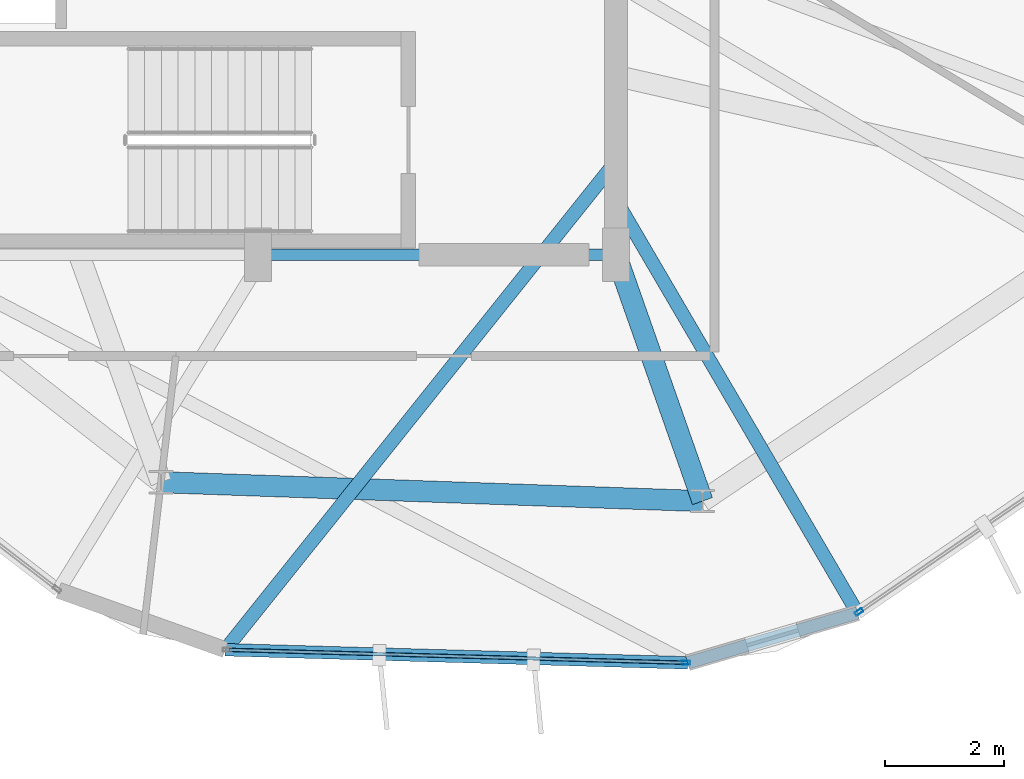
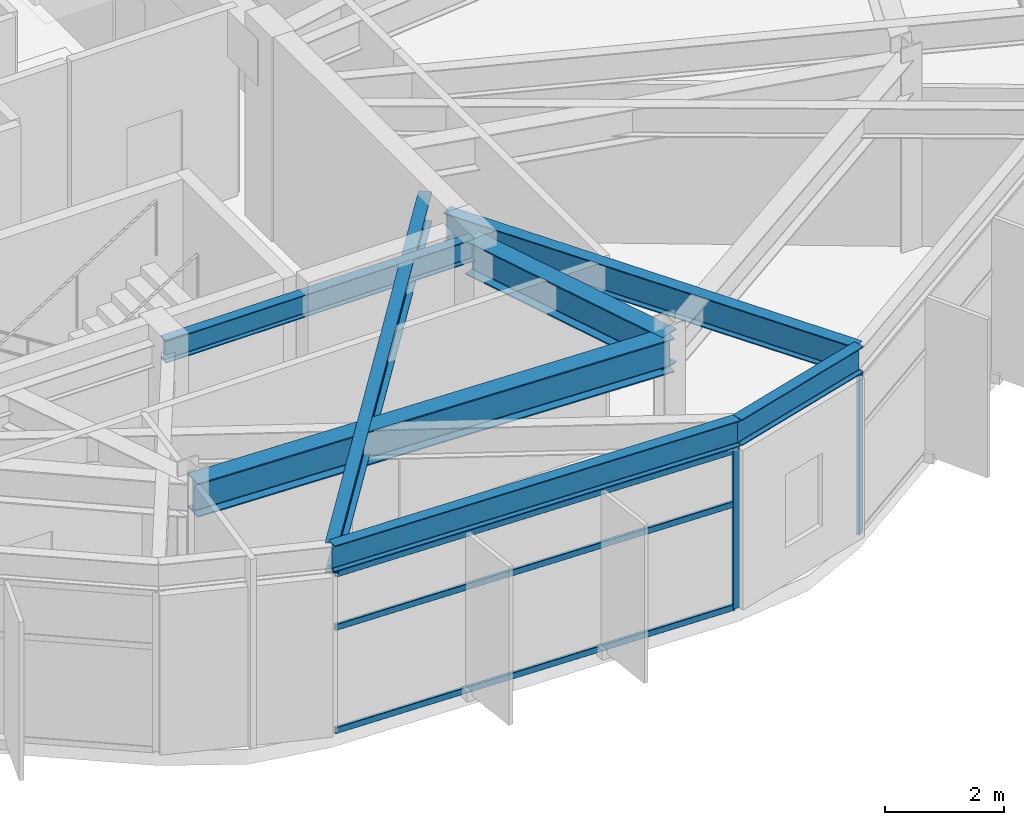
# One storey, part 5 of 20: 7 beams, 5 members, 2 elements without a shape of their own.
"""IFC4 building model written with IfcOpenShell, lengths in metres."""

from ifc_helpers import new_model, si_unit, direction, frame, origin, origin_2d, place, context, subcontext, project, spatial, hollow_rectangle, i_section, extrude, material, layer, layer_set, material_profile, profile_set, type_object, element, aggregate, save


model = new_model("IFC4")

# Units and contexts
model_context = context("Model", 3, precision=1e-05, world=origin(), true_north=direction((0.0, 1.0)))
body_context = subcontext(model_context, "Body", "Model", "MODEL_VIEW")
ifc_project = project(units=[si_unit("LENGTHUNIT", "METRE"), si_unit("AREAUNIT", "SQUARE_METRE"), si_unit("VOLUMEUNIT", "CUBIC_METRE"), si_unit("PLANEANGLEUNIT", "RADIAN"), si_unit("MASSUNIT", "GRAM", prefix="KILO")], contexts=[model_context])

# Site, building, storey
site_placement = place(None, origin())
site = spatial("IfcSite", under=ifc_project, at=site_placement, CompositionType="ELEMENT")
building_placement = place(site_placement, origin())
building = spatial("IfcBuilding", under=site, at=building_placement, Name="Soratama Intermodal Tower", CompositionType="ELEMENT")
storey_placement = place(building_placement, frame((0.0, 0.0, 293.050048828125)))
storey = spatial("IfcBuildingStorey", under=building, at=storey_placement, Name="L74", CompositionType="ELEMENT", Elevation=293.050048828125)

# Beams
ifc_material_1 = material(Name="Structural steel ASTM A992 Grade 50", Category="steel")
ifc_material_profile_1 = material_profile(ifc_material_1, i_section(OverallWidth=0.19091796875, OverallDepth=0.4599609375, WebThickness=0.010009765625, FlangeThickness=0.01611328125, FilletRadius=0.010986328125, at=origin_2d()), Name="W18X55")
ifc_profile_set_1 = profile_set([ifc_material_profile_1], Name="Structural steel ASTM A992 Grade 50")
beam_type_1 = type_object("IfcBeamType", Name="BM-FLR-W18X55", PredefinedType="BEAM", material=ifc_profile_set_1)
beam_1_placement = place(storey_placement, frame((38.60009765625, 15.0, 3.6650390625), z_axis=(1.0, 0.0, 0.0), x_axis=(0.0, 1.0, 0.0)))
element("IfcBeam", 1, at=beam_1_placement, inside=storey, type_object=beam_type_1, Name="BM-L74-CRING-02", PredefinedType="BEAM", context=body_context, shape_type="SweptSolid", body=[
    extrude(i_section(OverallWidth=0.19091796875, OverallDepth=0.4599609375, WebThickness=0.010009765625, FlangeThickness=0.01611328125, FilletRadius=0.010986328125, at=origin_2d()), origin(), (0.0, 0.0, 1.0), 6.0),
])
ifc_material_2 = material(Name="Structural steel ASTM A992 Grade 50", Category="steel")
ifc_material_profile_2 = material_profile(ifc_material_2, i_section(OverallWidth=0.35498046875, OverallDepth=0.695068359375, WebThickness=0.015380859375, FlangeThickness=0.02490234375, FilletRadius=0.01611328125, at=origin_2d()), Name="W27X146")
ifc_profile_set_2 = profile_set([ifc_material_profile_2], Name="Structural steel ASTM A992 Grade 50")
beam_type_2 = type_object("IfcBeamType", Name="BM-RING-W27X146", PredefinedType="BEAM", material=ifc_profile_set_2)
beam_2_placement = place(storey_placement, frame((36.971923828125, 11.18701171875, 3.54736328125), z_axis=(0.999391551516, -0.034878743651, 0.0), x_axis=(0.034878743651, 0.999391551516, 0.0)))
element("IfcBeam", 2, at=beam_2_placement, inside=storey, type_object=beam_type_2, Name="BM-L74-RING-07", PredefinedType="BEAM", context=body_context, shape_type="SweptSolid", body=[
    extrude(i_section(OverallWidth=0.35498046875, OverallDepth=0.695068359375, WebThickness=0.015380859375, FlangeThickness=0.02490234375, FilletRadius=0.01611328125, at=origin_2d()), origin(), (0.0, 0.0, 1.0), 9.085693359375),
])
beam_3_placement = place(storey_placement, frame((44.60009765625, 15.0, 3.54736328125), z_axis=(0.331661746867, -0.943398370608, 0.0), x_axis=(0.943398370608, 0.331661746867, 0.0)))
element("IfcBeam", 3, at=beam_3_placement, inside=storey, type_object=beam_type_2, Name="BM-L74-RAD-08", PredefinedType="BEAM", context=body_context, shape_type="SweptSolid", body=[
    extrude(i_section(OverallWidth=0.35498046875, OverallDepth=0.695068359375, WebThickness=0.015380859375, FlangeThickness=0.02490234375, FilletRadius=0.01611328125, at=origin_2d()), origin(), (0.0, 0.0, 1.0), 4.377685546875),
])
ifc_material_3 = material(Name="Structural steel ASTM A992 Grade 50", Category="steel")
ifc_material_profile_3 = material_profile(ifc_material_3, i_section(OverallWidth=0.2099609375, OverallDepth=0.537109375, WebThickness=0.010986328125, FlangeThickness=0.017333984375, FilletRadius=0.012939453125, at=origin_2d()), Name="W21X68")
ifc_profile_set_3 = profile_set([ifc_material_profile_3], Name="Structural steel ASTM A992 Grade 50")
beam_type_3 = type_object("IfcBeamType", Name="BM-SPN-W21X68", PredefinedType="SPANDREL", material=ifc_profile_set_3)
beam_4_placement = place(storey_placement, frame((38.049072265625, 8.3779296875, 3.62646484375), z_axis=(0.999597943365, -0.028354040643, 0.0), x_axis=(0.028354040643, 0.999597943365, 0.0)))
element("IfcBeam", 4, at=beam_4_placement, inside=storey, type_object=beam_type_3, Name="BS-L74-F06", PredefinedType="SPANDREL", context=body_context, shape_type="SweptSolid", body=[
    extrude(i_section(OverallWidth=0.2099609375, OverallDepth=0.537109375, WebThickness=0.010986328125, FlangeThickness=0.017333984375, FilletRadius=0.012939453125, at=origin_2d()), origin(), (0.0, 0.0, 1.0), 7.758056640625),
])
beam_5_placement = place(storey_placement, frame((45.803955078125, 8.157958984375, 3.62646484375), z_axis=(0.959381220968, 0.282112872541, 0.0), x_axis=(-0.282112872541, 0.959381220968, 0.0)))
element("IfcBeam", 5, at=beam_5_placement, inside=storey, type_object=beam_type_3, Name="BS-L74-CRN06", PredefinedType="SPANDREL", context=body_context, shape_type="SweptSolid", body=[
    extrude(i_section(OverallWidth=0.2099609375, OverallDepth=0.537109375, WebThickness=0.010986328125, FlangeThickness=0.017333984375, FilletRadius=0.012939453125, at=origin_2d()), origin(), (0.0, 0.0, 1.0), 2.967529296875),
])
ifc_material_4 = material(Name="Structural steel ASTM A992 Grade 50", Category="steel")
ifc_material_profile_4 = material_profile(ifc_material_4, i_section(OverallWidth=0.22900390625, OverallDepth=0.612060546875, WebThickness=0.011962890625, FlangeThickness=0.01953125, FilletRadius=0.012939453125, at=origin_2d()), Name="W24X84")
ifc_profile_set_4 = profile_set([ifc_material_profile_4], Name="Structural steel ASTM A992 Grade 50")
beam_type_4 = type_object("IfcBeamType", Name="BM-TIE-W24X84", PredefinedType="BEAM", material=ifc_profile_set_4)
beam_6_placement = place(storey_placement, frame((44.574951171875, 16.532958984375, 3.5888671875), z_axis=(-0.624803362914, -0.780782144834, 0.0), x_axis=(0.780782144834, -0.624803362914, 0.0)))
element("IfcBeam", 6, at=beam_6_placement, inside=storey, type_object=beam_type_4, Name="BM-L74-TIE0-06", PredefinedType="BEAM", context=body_context, shape_type="SweptSolid", body=[
    extrude(i_section(OverallWidth=0.22900390625, OverallDepth=0.612060546875, WebThickness=0.011962890625, FlangeThickness=0.01953125, FilletRadius=0.012939453125, at=origin_2d()), origin(), (0.0, 0.0, 1.0), 10.444580078125),
])
beam_7_placement = place(storey_placement, frame((44.6201171875, 15.883056640625, 3.5888671875), z_axis=(0.505066942336, -0.863080172266, 0.0), x_axis=(0.863080172266, 0.505066942336, 0.0)))
element("IfcBeam", 7, at=beam_7_placement, inside=storey, type_object=beam_type_4, Name="BM-L74-TIE0-07", PredefinedType="BEAM", context=body_context, shape_type="SweptSolid", body=[
    extrude(i_section(OverallWidth=0.22900390625, OverallDepth=0.612060546875, WebThickness=0.011962890625, FlangeThickness=0.01953125, FilletRadius=0.012939453125, at=origin_2d()), origin(), (0.0, 0.0, 1.0), 7.980712890625),
])

# Curtain wall, member
ifc_material_5 = material(Name="Double-glazed aluminium curtain wall", Category="aluminium")
ifc_layer = layer(ifc_material_5, 0.159912109375)
ifc_layer_set = layer_set([ifc_layer], Name="Double-glazed aluminium curtain wall")
curtain_wall_type = type_object("IfcCurtainWallType", Name="CW-SYS-6", PredefinedType="NOTDEFINED", material=ifc_layer_set)
curtain_wall_1_placement = place(storey_placement, origin())
curtain_wall_1 = element("IfcCurtainWall", 8, at=curtain_wall_1_placement, inside=storey, type_object=curtain_wall_type, Name="L74 Faceted Curtain Wall F06", PredefinedType="NOTDEFINED")
ifc_material_6 = material(Name="Anodised aluminium AA 6063-T6", Category="aluminium")
ifc_material_profile_5 = material_profile(ifc_material_6, hollow_rectangle(XDim=0.06494140625, YDim=0.139892578125, WallThickness=0.0048828125, InnerFilletRadius=0.0048828125, OuterFilletRadius=0.010009765625, at=origin_2d()), Name="CWM140X65X5")
ifc_profile_set_5 = profile_set([ifc_material_profile_5], Name="Anodised aluminium AA 6063-T6")
member_type_1 = type_object("IfcMemberType", Name="MT-CWM-6", PredefinedType="MULLION", material=ifc_profile_set_5)
member_1_placement = place(storey_placement, frame((45.7744140625, 8.1591796875, 0.0), z_axis=(0.0, 0.0, 1.0), x_axis=(0.028280109381, 0.999600037722, 0.0)))
member_1 = element("IfcMember", 9, at=member_1_placement, type_object=member_type_1, Name="CW-6 mullion 2", PredefinedType="MULLION", context=body_context, shape_type="SweptSolid", body=[
    extrude(hollow_rectangle(XDim=0.06494140625, YDim=0.139892578125, WallThickness=0.0048828125, InnerFilletRadius=0.0048828125, OuterFilletRadius=0.010009765625, at=origin_2d()), origin(), (0.0, 0.0, 1.0), 3.27392578125),
])

curtain_wall_2_placement = place(storey_placement, origin())
curtain_wall_2 = element("IfcCurtainWall", 10, at=curtain_wall_2_placement, inside=storey, type_object=curtain_wall_type, Name="L74 Faceted Curtain Wall F07", PredefinedType="NOTDEFINED")
member_2_placement = place(storey_placement, frame((48.67529296875, 9.011962890625, 0.0), z_axis=(0.0, 0.0, 1.0), x_axis=(-0.564681143103, 0.825309158209, 0.0)))
member_2 = element("IfcMember", 11, at=member_2_placement, type_object=member_type_1, Name="CW-6 mullion 1", PredefinedType="MULLION", context=body_context, shape_type="SweptSolid", body=[
    extrude(hollow_rectangle(XDim=0.06494140625, YDim=0.139892578125, WallThickness=0.0048828125, InnerFilletRadius=0.0048828125, OuterFilletRadius=0.010009765625, at=origin_2d()), origin(), (0.0, 0.0, 1.0), 3.27392578125),
])
aggregate(curtain_wall_2, [member_2])

# Member
ifc_material_7 = material(Name="Anodised aluminium AA 6063-T6", Category="aluminium")
ifc_material_profile_6 = material_profile(ifc_material_7, hollow_rectangle(XDim=0.06005859375, YDim=0.1298828125, WallThickness=0.0048828125, InnerFilletRadius=0.0048828125, OuterFilletRadius=0.010009765625, at=origin_2d()), Name="CWT130X60X5")
ifc_profile_set_6 = profile_set([ifc_material_profile_6], Name="Anodised aluminium AA 6063-T6")
member_type_2 = type_object("IfcMemberType", Name="TT-CWT-2", PredefinedType="USERDEFINED", material=ifc_profile_set_6)
member_3_placement = place(storey_placement, frame((38.109375, 8.376220703125, 0.030029296875), z_axis=(0.999599818783, -0.028287847013, 0.0), x_axis=(0.028287847013, 0.999599818783, 0.0)))
member_3 = element("IfcMember", 12, at=member_3_placement, type_object=member_type_2, Name="CW-6 transom 1.1", ObjectType="TRANSOM", PredefinedType="USERDEFINED", context=body_context, shape_type="SweptSolid", body=[
    extrude(hollow_rectangle(XDim=0.06005859375, YDim=0.1298828125, WallThickness=0.0048828125, InnerFilletRadius=0.0048828125, OuterFilletRadius=0.010009765625, at=origin_2d()), origin(), (0.0, 0.0, 1.0), 7.63818359375),
])

member_4_placement = place(storey_placement, frame((38.109375, 8.376220703125, 2.14990234375), z_axis=(0.999599818783, -0.028287847013, 0.0), x_axis=(0.028287847013, 0.999599818783, 0.0)))
member_4 = element("IfcMember", 13, at=member_4_placement, type_object=member_type_2, Name="CW-6 transom 1.2", ObjectType="TRANSOM", PredefinedType="USERDEFINED", context=body_context, shape_type="SweptSolid", body=[
    extrude(hollow_rectangle(XDim=0.06005859375, YDim=0.1298828125, WallThickness=0.0048828125, InnerFilletRadius=0.0048828125, OuterFilletRadius=0.010009765625, at=origin_2d()), origin(), (0.0, 0.0, 1.0), 7.63818359375),
])

member_5_placement = place(storey_placement, frame((38.109375, 8.376220703125, 3.243896484375), z_axis=(0.999599818783, -0.028287847013, 0.0), x_axis=(0.028287847013, 0.999599818783, 0.0)))
member_5 = element("IfcMember", 14, at=member_5_placement, type_object=member_type_2, Name="CW-6 transom 1.3", ObjectType="TRANSOM", PredefinedType="USERDEFINED", context=body_context, shape_type="SweptSolid", body=[
    extrude(hollow_rectangle(XDim=0.06005859375, YDim=0.1298828125, WallThickness=0.0048828125, InnerFilletRadius=0.0048828125, OuterFilletRadius=0.010009765625, at=origin_2d()), origin(), (0.0, 0.0, 1.0), 7.63818359375),
])

aggregate(curtain_wall_1, [member_1, member_3, member_4, member_5])

save(model, "model.ifc")
